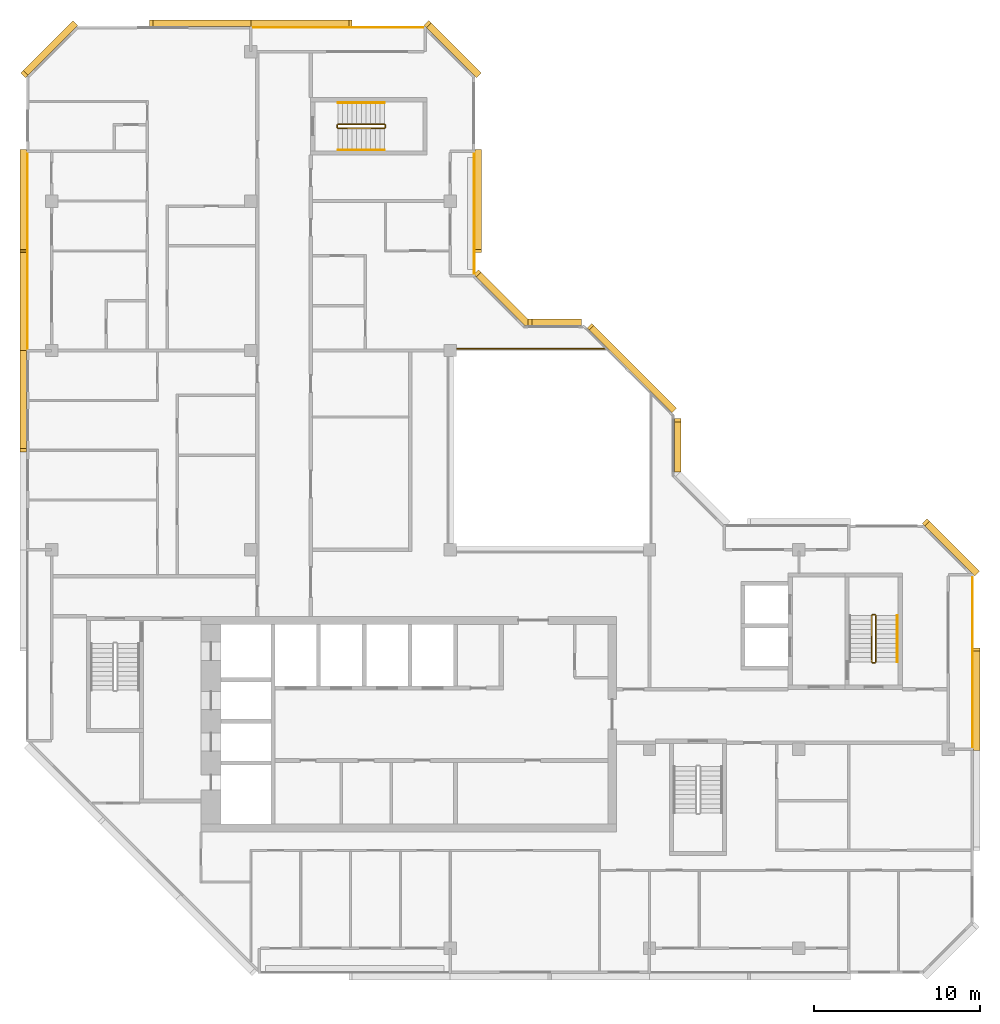
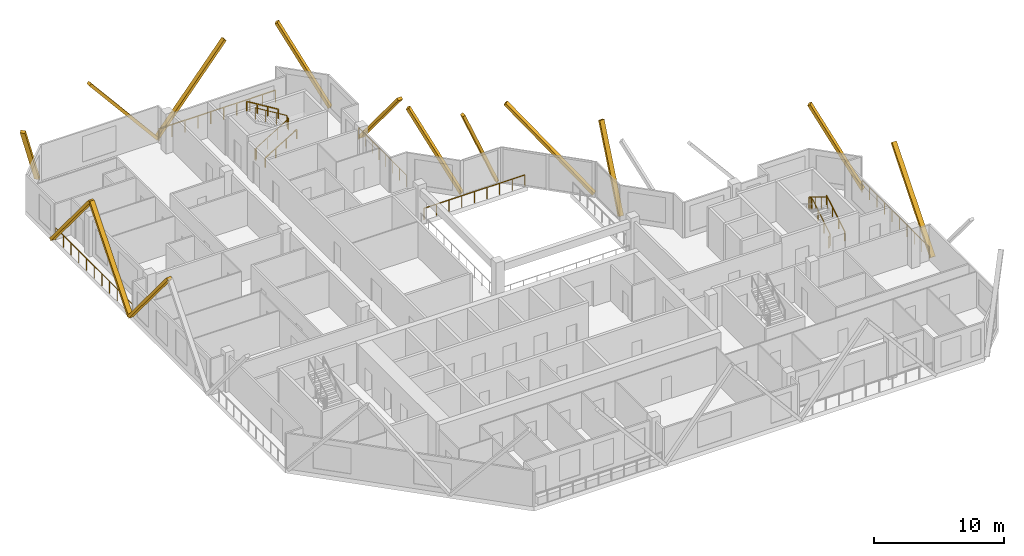
# One storey, part 11 of 11: 14 coverings, 10 railings.
"""IFC4 building model written with IfcOpenShell, lengths in metres."""

from ifc_helpers import new_model, si_unit, direction, frame, origin, origin_2d, place, context, subcontext, project, spatial, rectangle, extrude, material, material_profile, profile_set, type_object, element, save


model = new_model("IFC4")

# Units and contexts
model_context = context("Model", 3, precision=1e-05, world=origin(), true_north=direction((0.0, 1.0)))
body_context = subcontext(model_context, "Body", "Model", "MODEL_VIEW")
ifc_project = project(units=[si_unit("LENGTHUNIT", "METRE"), si_unit("AREAUNIT", "SQUARE_METRE"), si_unit("VOLUMEUNIT", "CUBIC_METRE"), si_unit("PLANEANGLEUNIT", "RADIAN"), si_unit("MASSUNIT", "GRAM", prefix="KILO")], contexts=[model_context])

# Site, building, storey
site_placement = place(None, origin())
site = spatial("IfcSite", under=ifc_project, at=site_placement, CompositionType="ELEMENT")
building_placement = place(site_placement, origin())
building = spatial("IfcBuilding", under=site, at=building_placement, Name="Chenar Terraces", CompositionType="ELEMENT")
storey_placement = place(building_placement, frame((0.0, 0.0, 376.39990234375)))
storey = spatial("IfcBuildingStorey", under=building, at=storey_placement, Name="L88", CompositionType="ELEMENT", Elevation=376.39990234375)

# Railings
ifc_material_1 = material(Name="Powder-coated steel", Category="steel")
railing_type_1 = type_object("IfcRailingType", Name="Guard 1100 steel rail with glass infill", PredefinedType="GUARDRAIL", material=ifc_material_1)
railing_1_placement = place(storey_placement, frame((24.425048828125, 36.10009765625, 0.0)))
element("IfcRailing", 1, at=railing_1_placement, inside=storey, type_object=railing_type_1, Name="Guard L88-2", PredefinedType="GUARDRAIL", context=body_context, shape_type="SweptSolid", body=[
    extrude(rectangle(XDim=0.06005859375, YDim=0.06005859375, at=origin_2d()), frame((0.0, 0.0, 1.070068359375), z_axis=(1.0, 0.0, 0.0), x_axis=(0.0, 1.0, 0.0)), (0.0, 0.0, 1.0), 8.974853515625),
    extrude(rectangle(XDim=0.050048828125, YDim=0.050048828125, at=origin_2d()), origin(), (0.0, 0.0, 1.0), 1.0400390625),
    extrude(rectangle(XDim=0.050048828125, YDim=0.050048828125, at=origin_2d()), frame((1.121826171875, 0.0, 0.0)), (0.0, 0.0, 1.0), 1.0400390625),
    extrude(rectangle(XDim=0.050048828125, YDim=0.050048828125, at=origin_2d()), frame((2.24365234375, 0.0, 0.0)), (0.0, 0.0, 1.0), 1.0400390625),
    extrude(rectangle(XDim=0.050048828125, YDim=0.050048828125, at=origin_2d()), frame((3.365478515625, 0.0, 0.0)), (0.0, 0.0, 1.0), 1.0400390625),
    extrude(rectangle(XDim=0.050048828125, YDim=0.050048828125, at=origin_2d()), frame((4.4873046875, 0.0, 0.0)), (0.0, 0.0, 1.0), 1.0400390625),
    extrude(rectangle(XDim=0.050048828125, YDim=0.050048828125, at=origin_2d()), frame((5.609375, 0.0, 0.0)), (0.0, 0.0, 1.0), 1.0400390625),
    extrude(rectangle(XDim=0.050048828125, YDim=0.050048828125, at=origin_2d()), frame((6.731201171875, 0.0, 0.0)), (0.0, 0.0, 1.0), 1.0400390625),
    extrude(rectangle(XDim=0.050048828125, YDim=0.050048828125, at=origin_2d()), frame((7.85302734375, 0.0, 0.0)), (0.0, 0.0, 1.0), 1.0400390625),
    extrude(rectangle(XDim=0.050048828125, YDim=0.050048828125, at=origin_2d()), frame((8.974853515625, 0.0, 0.0)), (0.0, 0.0, 1.0), 1.0400390625),
])
ifc_material_2 = material(Name="Stainless steel and glass", Category="steel")
railing_type_2 = type_object("IfcRailingType", Name="Loggia guard 1150", PredefinedType="GUARDRAIL", material=ifc_material_2)
railing_2_placement = place(storey_placement, frame((25.449951171875, 40.574951171875, 0.0)))
element("IfcRailing", 2, at=railing_2_placement, inside=storey, type_object=railing_type_2, Name="Loggia guard", PredefinedType="GUARDRAIL", context=body_context, shape_type="SweptSolid", body=[
    extrude(rectangle(XDim=0.048095703125, YDim=0.048095703125, at=origin_2d()), frame((0.0, 0.0, 1.1259765625), z_axis=(0.0, 1.0, 0.0), x_axis=(-1.0, 0.0, 0.0)), (0.0, 0.0, 1.0), 7.35009765625),
    extrude(rectangle(XDim=0.0419921875, YDim=0.0419921875, at=origin_2d()), origin(), (0.0, 0.0, 1.0), 1.101806640625),
    extrude(rectangle(XDim=0.0419921875, YDim=0.0419921875, at=origin_2d()), frame((0.0, 1.050048828125, 0.0)), (0.0, 0.0, 1.0), 1.101806640625),
    extrude(rectangle(XDim=0.0419921875, YDim=0.0419921875, at=origin_2d()), frame((0.0, 2.10009765625, 0.0)), (0.0, 0.0, 1.0), 1.101806640625),
    extrude(rectangle(XDim=0.0419921875, YDim=0.0419921875, at=origin_2d()), frame((0.0, 3.150146484375, 0.0)), (0.0, 0.0, 1.0), 1.101806640625),
    extrude(rectangle(XDim=0.0419921875, YDim=0.0419921875, at=origin_2d()), frame((0.0, 4.199951171875, 0.0)), (0.0, 0.0, 1.0), 1.101806640625),
    extrude(rectangle(XDim=0.0419921875, YDim=0.0419921875, at=origin_2d()), frame((0.0, 5.25, 0.0)), (0.0, 0.0, 1.0), 1.101806640625),
    extrude(rectangle(XDim=0.0419921875, YDim=0.0419921875, at=origin_2d()), frame((0.0, 6.300048828125, 0.0)), (0.0, 0.0, 1.0), 1.101806640625),
    extrude(rectangle(XDim=0.0419921875, YDim=0.0419921875, at=origin_2d()), frame((0.0, 7.35009765625, 0.0)), (0.0, 0.0, 1.0), 1.101806640625),
])
railing_3_placement = place(storey_placement, frame((55.449951171875, 12.074951171875, 0.0)))
element("IfcRailing", 3, at=railing_3_placement, inside=storey, type_object=railing_type_2, Name="Loggia guard", PredefinedType="GUARDRAIL", context=body_context, shape_type="SweptSolid", body=[
    extrude(rectangle(XDim=0.048095703125, YDim=0.048095703125, at=origin_2d()), frame((0.0, 0.0, 1.1259765625), z_axis=(0.0, 1.0, 0.0), x_axis=(-1.0, 0.0, 0.0)), (0.0, 0.0, 1.0), 10.35009765625),
    extrude(rectangle(XDim=0.0419921875, YDim=0.0419921875, at=origin_2d()), origin(), (0.0, 0.0, 1.0), 1.101806640625),
    extrude(rectangle(XDim=0.0419921875, YDim=0.0419921875, at=origin_2d()), frame((0.0, 1.14990234375, 0.0)), (0.0, 0.0, 1.0), 1.101806640625),
    extrude(rectangle(XDim=0.0419921875, YDim=0.0419921875, at=origin_2d()), frame((0.0, 2.300048828125, 0.0)), (0.0, 0.0, 1.0), 1.101806640625),
    extrude(rectangle(XDim=0.0419921875, YDim=0.0419921875, at=origin_2d()), frame((0.0, 3.449951171875, 0.0)), (0.0, 0.0, 1.0), 1.101806640625),
    extrude(rectangle(XDim=0.0419921875, YDim=0.0419921875, at=origin_2d()), frame((0.0, 4.60009765625, 0.0)), (0.0, 0.0, 1.0), 1.101806640625),
    extrude(rectangle(XDim=0.0419921875, YDim=0.0419921875, at=origin_2d()), frame((0.0, 5.75, 0.0)), (0.0, 0.0, 1.0), 1.101806640625),
    extrude(rectangle(XDim=0.0419921875, YDim=0.0419921875, at=origin_2d()), frame((0.0, 6.900146484375, 0.0)), (0.0, 0.0, 1.0), 1.101806640625),
    extrude(rectangle(XDim=0.0419921875, YDim=0.0419921875, at=origin_2d()), frame((0.0, 8.050048828125, 0.0)), (0.0, 0.0, 1.0), 1.101806640625),
    extrude(rectangle(XDim=0.0419921875, YDim=0.0419921875, at=origin_2d()), frame((0.0, 9.2001953125, 0.0)), (0.0, 0.0, 1.0), 1.101806640625),
    extrude(rectangle(XDim=0.0419921875, YDim=0.0419921875, at=origin_2d()), frame((0.0, 10.35009765625, 0.0)), (0.0, 0.0, 1.0), 1.101806640625),
])
railing_4_placement = place(storey_placement, frame((22.425048828125, 55.449951171875, 0.0)))
element("IfcRailing", 4, at=railing_4_placement, inside=storey, type_object=railing_type_2, Name="Loggia guard", PredefinedType="GUARDRAIL", context=body_context, shape_type="SweptSolid", body=[
    extrude(rectangle(XDim=0.048095703125, YDim=0.048095703125, at=origin_2d()), frame((0.0, 0.0, 1.1259765625), z_axis=(-1.0, 0.0, 0.0), x_axis=(0.0, -1.0, 0.0)), (0.0, 0.0, 1.0), 10.35009765625),
    extrude(rectangle(XDim=0.0419921875, YDim=0.0419921875, at=origin_2d()), origin(), (0.0, 0.0, 1.0), 1.101806640625),
    extrude(rectangle(XDim=0.0419921875, YDim=0.0419921875, at=origin_2d()), frame((-1.14990234375, 0.0, 0.0)), (0.0, 0.0, 1.0), 1.101806640625),
    extrude(rectangle(XDim=0.0419921875, YDim=0.0419921875, at=origin_2d()), frame((-2.300048828125, 0.0, 0.0)), (0.0, 0.0, 1.0), 1.101806640625),
    extrude(rectangle(XDim=0.0419921875, YDim=0.0419921875, at=origin_2d()), frame((-3.449951171875, 0.0, 0.0)), (0.0, 0.0, 1.0), 1.101806640625),
    extrude(rectangle(XDim=0.0419921875, YDim=0.0419921875, at=origin_2d()), frame((-4.60009765625, 0.0, 0.0)), (0.0, 0.0, 1.0), 1.101806640625),
    extrude(rectangle(XDim=0.0419921875, YDim=0.0419921875, at=origin_2d()), frame((-5.75, 0.0, 0.0)), (0.0, 0.0, 1.0), 1.101806640625),
    extrude(rectangle(XDim=0.0419921875, YDim=0.0419921875, at=origin_2d()), frame((-6.900146484375, 0.0, 0.0)), (0.0, 0.0, 1.0), 1.101806640625),
    extrude(rectangle(XDim=0.0419921875, YDim=0.0419921875, at=origin_2d()), frame((-8.050048828125, 0.0, 0.0)), (0.0, 0.0, 1.0), 1.101806640625),
    extrude(rectangle(XDim=0.0419921875, YDim=0.0419921875, at=origin_2d()), frame((-9.2001953125, 0.0, 0.0)), (0.0, 0.0, 1.0), 1.101806640625),
    extrude(rectangle(XDim=0.0419921875, YDim=0.0419921875, at=origin_2d()), frame((-10.35009765625, 0.0, 0.0)), (0.0, 0.0, 1.0), 1.101806640625),
])
railing_5_placement = place(storey_placement, frame((-1.449951171875, 47.925048828125, 0.0)))
element("IfcRailing", 5, at=railing_5_placement, inside=storey, type_object=railing_type_2, Name="Loggia guard", PredefinedType="GUARDRAIL", context=body_context, shape_type="SweptSolid", body=[
    extrude(rectangle(XDim=0.048095703125, YDim=0.048095703125, at=origin_2d()), frame((0.0, 0.0, 1.1259765625), z_axis=(0.0, -1.0, 0.0), x_axis=(1.0, 0.0, 0.0)), (0.0, 0.0, 1.0), 11.85009765625),
    extrude(rectangle(XDim=0.0419921875, YDim=0.0419921875, at=origin_2d()), origin(), (0.0, 0.0, 1.0), 1.101806640625),
    extrude(rectangle(XDim=0.0419921875, YDim=0.0419921875, at=origin_2d()), frame((0.0, -1.18505859375, 0.0)), (0.0, 0.0, 1.0), 1.101806640625),
    extrude(rectangle(XDim=0.0419921875, YDim=0.0419921875, at=origin_2d()), frame((0.0, -2.3701171875, 0.0)), (0.0, 0.0, 1.0), 1.101806640625),
    extrude(rectangle(XDim=0.0419921875, YDim=0.0419921875, at=origin_2d()), frame((0.0, -3.554931640625, 0.0)), (0.0, 0.0, 1.0), 1.101806640625),
    extrude(rectangle(XDim=0.0419921875, YDim=0.0419921875, at=origin_2d()), frame((0.0, -4.739990234375, 0.0)), (0.0, 0.0, 1.0), 1.101806640625),
    extrude(rectangle(XDim=0.0419921875, YDim=0.0419921875, at=origin_2d()), frame((0.0, -5.925048828125, 0.0)), (0.0, 0.0, 1.0), 1.101806640625),
    extrude(rectangle(XDim=0.0419921875, YDim=0.0419921875, at=origin_2d()), frame((0.0, -7.110107421875, 0.0)), (0.0, 0.0, 1.0), 1.101806640625),
    extrude(rectangle(XDim=0.0419921875, YDim=0.0419921875, at=origin_2d()), frame((0.0, -8.295166015625, 0.0)), (0.0, 0.0, 1.0), 1.101806640625),
    extrude(rectangle(XDim=0.0419921875, YDim=0.0419921875, at=origin_2d()), frame((0.0, -9.47998046875, 0.0)), (0.0, 0.0, 1.0), 1.101806640625),
    extrude(rectangle(XDim=0.0419921875, YDim=0.0419921875, at=origin_2d()), frame((0.0, -10.6650390625, 0.0)), (0.0, 0.0, 1.0), 1.101806640625),
    extrude(rectangle(XDim=0.0419921875, YDim=0.0419921875, at=origin_2d()), frame((0.0, -11.85009765625, 0.0)), (0.0, 0.0, 1.0), 1.101806640625),
])
ifc_material_3 = material(Name="Powder-coated steel", Category="steel")
railing_type_3 = type_object("IfcRailingType", Name="Stair guard 1100", PredefinedType="GUARDRAIL", material=ifc_material_3)
railing_6_placement = place(storey_placement, frame((49.375, 17.25, 3.75)))
element("IfcRailing", 6, at=railing_6_placement, inside=storey, type_object=railing_type_3, Name="L88 ST3 stair guard 1", PredefinedType="GUARDRAIL", context=body_context, shape_type="SweptSolid", body=[
    extrude(rectangle(XDim=0.048095703125, YDim=0.048095703125, at=origin_2d()), frame((0.0, 0.0, 1.076171875), z_axis=(0.0, 0.854202870247, -0.519939858505), x_axis=(-1.0, 0.0, 0.0)), (0.0, 0.0, 1.0), 3.278076171875),
    extrude(rectangle(XDim=0.048095703125, YDim=0.048095703125, at=origin_2d()), frame((0.0, 2.800048828125, -0.62841796875), z_axis=(0.270899902878, 0.270899902878, -0.923702595667), x_axis=(-0.707106781187, 0.707106781187, 0.0)), (0.0, 0.0, 1.0), 0.184814453125),
    extrude(rectangle(XDim=0.048095703125, YDim=0.048095703125, at=origin_2d()), frame((0.050048828125, 2.85009765625, -0.798828125), z_axis=(1.0, 0.0, 0.0), x_axis=(0.0, 1.0, 0.0)), (0.0, 0.0, 1.0), 0.14990234375),
    extrude(rectangle(XDim=0.048095703125, YDim=0.048095703125, at=origin_2d()), frame((0.199951171875, 2.85009765625, -0.798828125), z_axis=(0.707106781187, -0.707106781187, 0.0), x_axis=(0.707106781187, 0.707106781187, 0.0)), (0.0, 0.0, 1.0), 0.07080078125),
    extrude(rectangle(XDim=0.048095703125, YDim=0.048095703125, at=origin_2d()), frame((0.25, 2.800048828125, -0.798828125), z_axis=(0.0, -0.854202870247, -0.519939858505), x_axis=(1.0, 0.0, 0.0)), (0.0, 0.0, 1.0), 3.278076171875),
    extrude(rectangle(XDim=0.048095703125, YDim=0.048095703125, at=origin_2d()), frame((0.25, 0.0, -2.50341796875), z_axis=(-0.270899902878, -0.270899902878, -0.923702595667), x_axis=(0.707106781187, -0.707106781187, 0.0)), (0.0, 0.0, 1.0), 0.184814453125),
    extrude(rectangle(XDim=0.048095703125, YDim=0.048095703125, at=origin_2d()), frame((0.199951171875, -0.050048828125, -2.673828125), z_axis=(-1.0, 0.0, 0.0), x_axis=(0.0, -1.0, 0.0)), (0.0, 0.0, 1.0), 0.14990234375),
    extrude(rectangle(XDim=0.0419921875, YDim=0.0419921875, at=origin_2d()), origin(), (0.0, 0.0, 1.0), 1.052001953125),
    extrude(rectangle(XDim=0.0419921875, YDim=0.0419921875, at=origin_2d()), frame((0.0, 0.933349609375, -0.568115234375)), (0.0, 0.0, 1.0), 1.052001953125),
    extrude(rectangle(XDim=0.0419921875, YDim=0.0419921875, at=origin_2d()), frame((0.0, 1.86669921875, -1.13623046875)), (0.0, 0.0, 1.0), 1.052001953125),
    extrude(rectangle(XDim=0.0419921875, YDim=0.0419921875, at=origin_2d()), frame((0.0, 2.800048828125, -1.704345703125)), (0.0, 0.0, 1.0), 1.052001953125),
    extrude(rectangle(XDim=0.0419921875, YDim=0.0419921875, at=origin_2d()), frame((0.050048828125, 2.85009765625, -1.875)), (0.0, 0.0, 1.0), 1.052001953125),
    extrude(rectangle(XDim=0.0419921875, YDim=0.0419921875, at=origin_2d()), frame((0.199951171875, 2.85009765625, -1.875)), (0.0, 0.0, 1.0), 1.052001953125),
    extrude(rectangle(XDim=0.0419921875, YDim=0.0419921875, at=origin_2d()), frame((0.25, 2.800048828125, -1.875)), (0.0, 0.0, 1.0), 1.052001953125),
    extrude(rectangle(XDim=0.0419921875, YDim=0.0419921875, at=origin_2d()), frame((0.25, 1.86669921875, -2.443115234375)), (0.0, 0.0, 1.0), 1.052001953125),
    extrude(rectangle(XDim=0.0419921875, YDim=0.0419921875, at=origin_2d()), frame((0.25, 0.933349609375, -3.01123046875)), (0.0, 0.0, 1.0), 1.052001953125),
    extrude(rectangle(XDim=0.0419921875, YDim=0.0419921875, at=origin_2d()), frame((0.25, 0.0, -3.579345703125)), (0.0, 0.0, 1.0), 1.052001953125),
    extrude(rectangle(XDim=0.0419921875, YDim=0.0419921875, at=origin_2d()), frame((0.199951171875, -0.050048828125, -3.75)), (0.0, 0.0, 1.0), 1.052001953125),
    extrude(rectangle(XDim=0.0419921875, YDim=0.0419921875, at=origin_2d()), frame((0.050048828125, -0.050048828125, -3.75)), (0.0, 0.0, 1.0), 1.052001953125),
])
railing_7_placement = place(storey_placement, frame((17.25, 49.625, 3.75)))
element("IfcRailing", 7, at=railing_7_placement, inside=storey, type_object=railing_type_3, Name="L88 ST4 stair guard 1", PredefinedType="GUARDRAIL", context=body_context, shape_type="SweptSolid", body=[
    extrude(rectangle(XDim=0.048095703125, YDim=0.048095703125, at=origin_2d()), frame((0.0, 0.0, 1.076171875), z_axis=(0.854202870247, 0.0, -0.519939858505), x_axis=(0.0, 1.0, 0.0)), (0.0, 0.0, 1.0), 3.278076171875),
    extrude(rectangle(XDim=0.048095703125, YDim=0.048095703125, at=origin_2d()), frame((2.800048828125, 0.0, -0.62841796875), z_axis=(0.270899902878, -0.270899902878, -0.923702595667), x_axis=(0.707106781187, 0.707106781187, 0.0)), (0.0, 0.0, 1.0), 0.184814453125),
    extrude(rectangle(XDim=0.048095703125, YDim=0.048095703125, at=origin_2d()), frame((2.85009765625, -0.050048828125, -0.798828125), z_axis=(0.0, -1.0, 0.0), x_axis=(1.0, 0.0, 0.0)), (0.0, 0.0, 1.0), 0.14990234375),
    extrude(rectangle(XDim=0.048095703125, YDim=0.048095703125, at=origin_2d()), frame((2.85009765625, -0.199951171875, -0.798828125), z_axis=(-0.707106781187, -0.707106781187, 0.0), x_axis=(0.707106781187, -0.707106781187, 0.0)), (0.0, 0.0, 1.0), 0.07080078125),
    extrude(rectangle(XDim=0.048095703125, YDim=0.048095703125, at=origin_2d()), frame((2.800048828125, -0.25, -0.798828125), z_axis=(-0.854202870247, 0.0, -0.519939858505), x_axis=(0.0, -1.0, 0.0)), (0.0, 0.0, 1.0), 3.278076171875),
    extrude(rectangle(XDim=0.048095703125, YDim=0.048095703125, at=origin_2d()), frame((0.0, -0.25, -2.50341796875), z_axis=(-0.270899902878, 0.270899902878, -0.923702595667), x_axis=(-0.707106781187, -0.707106781187, 0.0)), (0.0, 0.0, 1.0), 0.184814453125),
    extrude(rectangle(XDim=0.048095703125, YDim=0.048095703125, at=origin_2d()), frame((-0.050048828125, -0.199951171875, -2.673828125), z_axis=(0.0, 1.0, 0.0), x_axis=(-1.0, 0.0, 0.0)), (0.0, 0.0, 1.0), 0.14990234375),
    extrude(rectangle(XDim=0.0419921875, YDim=0.0419921875, at=origin_2d()), origin(), (0.0, 0.0, 1.0), 1.052001953125),
    extrude(rectangle(XDim=0.0419921875, YDim=0.0419921875, at=origin_2d()), frame((0.933349609375, 0.0, -0.568115234375)), (0.0, 0.0, 1.0), 1.052001953125),
    extrude(rectangle(XDim=0.0419921875, YDim=0.0419921875, at=origin_2d()), frame((1.86669921875, 0.0, -1.13623046875)), (0.0, 0.0, 1.0), 1.052001953125),
    extrude(rectangle(XDim=0.0419921875, YDim=0.0419921875, at=origin_2d()), frame((2.800048828125, 0.0, -1.704345703125)), (0.0, 0.0, 1.0), 1.052001953125),
    extrude(rectangle(XDim=0.0419921875, YDim=0.0419921875, at=origin_2d()), frame((2.85009765625, -0.050048828125, -1.875)), (0.0, 0.0, 1.0), 1.052001953125),
    extrude(rectangle(XDim=0.0419921875, YDim=0.0419921875, at=origin_2d()), frame((2.85009765625, -0.199951171875, -1.875)), (0.0, 0.0, 1.0), 1.052001953125),
    extrude(rectangle(XDim=0.0419921875, YDim=0.0419921875, at=origin_2d()), frame((2.800048828125, -0.25, -1.875)), (0.0, 0.0, 1.0), 1.052001953125),
    extrude(rectangle(XDim=0.0419921875, YDim=0.0419921875, at=origin_2d()), frame((1.86669921875, -0.25, -2.443115234375)), (0.0, 0.0, 1.0), 1.052001953125),
    extrude(rectangle(XDim=0.0419921875, YDim=0.0419921875, at=origin_2d()), frame((0.933349609375, -0.25, -3.01123046875)), (0.0, 0.0, 1.0), 1.052001953125),
    extrude(rectangle(XDim=0.0419921875, YDim=0.0419921875, at=origin_2d()), frame((0.0, -0.25, -3.579345703125)), (0.0, 0.0, 1.0), 1.052001953125),
    extrude(rectangle(XDim=0.0419921875, YDim=0.0419921875, at=origin_2d()), frame((-0.050048828125, -0.199951171875, -3.75)), (0.0, 0.0, 1.0), 1.052001953125),
    extrude(rectangle(XDim=0.0419921875, YDim=0.0419921875, at=origin_2d()), frame((-0.050048828125, -0.050048828125, -3.75)), (0.0, 0.0, 1.0), 1.052001953125),
])
ifc_material_4 = material(Name="Powder-coated steel", Category="steel")
railing_type_4 = type_object("IfcRailingType", Name="Stair handrail 900", PredefinedType="HANDRAIL", material=ifc_material_4)
railing_8_placement = place(storey_placement, frame((50.925048828125, 17.25, 0.170654296875)))
element("IfcRailing", 8, at=railing_8_placement, inside=storey, type_object=railing_type_4, Name="L88 ST3 stair handrail 1", PredefinedType="HANDRAIL", context=body_context, shape_type="SweptSolid", body=[
    extrude(rectangle(XDim=0.048095703125, YDim=0.048095703125, at=origin_2d()), frame((0.0, 0.0, 0.8759765625), z_axis=(0.0, 0.854202870247, 0.519939858505), x_axis=(-1.0, 0.0, 0.0)), (0.0, 0.0, 1.0), 3.278076171875),
    extrude(rectangle(XDim=0.0419921875, YDim=0.0419921875, at=origin_2d()), origin(), (0.0, 0.0, 1.0), 0.851806640625),
    extrude(rectangle(XDim=0.0419921875, YDim=0.0419921875, at=origin_2d()), frame((0.0, 0.933349609375, 0.568115234375)), (0.0, 0.0, 1.0), 0.851806640625),
    extrude(rectangle(XDim=0.0419921875, YDim=0.0419921875, at=origin_2d()), frame((0.0, 1.86669921875, 1.13623046875)), (0.0, 0.0, 1.0), 0.851806640625),
    extrude(rectangle(XDim=0.0419921875, YDim=0.0419921875, at=origin_2d()), frame((0.0, 2.800048828125, 1.704345703125)), (0.0, 0.0, 1.0), 0.851806640625),
])
railing_9_placement = place(storey_placement, frame((17.25, 48.074951171875, 0.170654296875)))
element("IfcRailing", 9, at=railing_9_placement, inside=storey, type_object=railing_type_4, Name="L88 ST4 stair handrail 1", PredefinedType="HANDRAIL", context=body_context, shape_type="SweptSolid", body=[
    extrude(rectangle(XDim=0.048095703125, YDim=0.048095703125, at=origin_2d()), frame((0.0, 0.0, 0.8759765625), z_axis=(0.854202870247, 0.0, 0.519939858505), x_axis=(0.0, 1.0, 0.0)), (0.0, 0.0, 1.0), 3.278076171875),
    extrude(rectangle(XDim=0.0419921875, YDim=0.0419921875, at=origin_2d()), origin(), (0.0, 0.0, 1.0), 0.851806640625),
    extrude(rectangle(XDim=0.0419921875, YDim=0.0419921875, at=origin_2d()), frame((0.933349609375, 0.0, 0.568115234375)), (0.0, 0.0, 1.0), 0.851806640625),
    extrude(rectangle(XDim=0.0419921875, YDim=0.0419921875, at=origin_2d()), frame((1.86669921875, 0.0, 1.13623046875)), (0.0, 0.0, 1.0), 0.851806640625),
    extrude(rectangle(XDim=0.0419921875, YDim=0.0419921875, at=origin_2d()), frame((2.800048828125, 0.0, 1.704345703125)), (0.0, 0.0, 1.0), 0.851806640625),
])
railing_10_placement = place(storey_placement, frame((20.050048828125, 50.925048828125, 2.045654296875)))
element("IfcRailing", 10, at=railing_10_placement, inside=storey, type_object=railing_type_4, Name="L88 ST4 stair handrail 2", PredefinedType="HANDRAIL", context=body_context, shape_type="SweptSolid", body=[
    extrude(rectangle(XDim=0.048095703125, YDim=0.048095703125, at=origin_2d()), frame((0.0, 0.0, 0.8759765625), z_axis=(-0.854202870247, 0.0, 0.519939858505), x_axis=(0.0, -1.0, 0.0)), (0.0, 0.0, 1.0), 3.278076171875),
    extrude(rectangle(XDim=0.0419921875, YDim=0.0419921875, at=origin_2d()), origin(), (0.0, 0.0, 1.0), 0.851806640625),
    extrude(rectangle(XDim=0.0419921875, YDim=0.0419921875, at=origin_2d()), frame((-0.933349609375, 0.0, 0.568115234375)), (0.0, 0.0, 1.0), 0.851806640625),
    extrude(rectangle(XDim=0.0419921875, YDim=0.0419921875, at=origin_2d()), frame((-1.86669921875, 0.0, 1.13623046875)), (0.0, 0.0, 1.0), 0.851806640625),
    extrude(rectangle(XDim=0.0419921875, YDim=0.0419921875, at=origin_2d()), frame((-2.800048828125, 0.0, 1.704345703125)), (0.0, 0.0, 1.0), 0.851806640625),
])

# Coverings
ifc_material_5 = material(Name="Terracotta", Category="masonry")
ifc_material_profile = material_profile(ifc_material_5, rectangle(XDim=0.39990234375, YDim=0.25, at=origin_2d()), Name="Terracotta baguette 400 x 250")
ifc_profile_set = profile_set([ifc_material_profile], Name="Terracotta")
covering_type = type_object("IfcCoveringType", Name="Terracotta baguette 400 x 250", PredefinedType="CLADDING", material=ifc_profile_set)
covering_1_placement = place(storey_placement, frame((37.699951171875, 28.800048828125, 0.150146484375), z_axis=(0.0, 0.384617607118, 0.923075997031), x_axis=(-1.0, 0.0, 0.0)))
element("IfcCovering", 11, at=covering_1_placement, inside=storey, type_object=covering_type, Name="Terracotta baguette", PredefinedType="CLADDING", context=body_context, shape_type="SweptSolid", body=[
    extrude(rectangle(XDim=0.39990234375, YDim=0.25, at=origin_2d()), origin(), (0.0, 0.0, 1.0), 7.800048828125),
])
covering_2_placement = place(storey_placement, frame((37.42919921875, 32.45361328125, 0.150146484375), z_axis=(-0.494222393737, 0.4942466441, 0.715167449151), x_axis=(-0.707124128605, -0.707089433343, 0.0)))
element("IfcCovering", 12, at=covering_2_placement, inside=storey, type_object=covering_type, Name="Terracotta baguette", PredefinedType="CLADDING", context=body_context, shape_type="SweptSolid", body=[
    extrude(rectangle(XDim=0.39990234375, YDim=0.25, at=origin_2d()), origin(), (0.0, 0.0, 1.0), 10.0673828125),
])
covering_3_placement = place(storey_placement, frame((31.800048828125, 37.699951171875, 0.150146484375), z_axis=(-0.384617607118, 0.0, 0.923075997031), x_axis=(0.0, -1.0, 0.0)))
element("IfcCovering", 13, at=covering_3_placement, inside=storey, type_object=covering_type, Name="Terracotta baguette", PredefinedType="CLADDING", context=body_context, shape_type="SweptSolid", body=[
    extrude(rectangle(XDim=0.39990234375, YDim=0.25, at=origin_2d()), origin(), (0.0, 0.0, 1.0), 7.800048828125),
])
covering_4_placement = place(storey_placement, frame((28.641357421875, 37.641357421875, 0.150146484375), z_axis=(-0.358980886355, 0.358980886355, 0.861548284464), x_axis=(-0.707106781187, -0.707106781187, 0.0)))
element("IfcCovering", 14, at=covering_4_placement, inside=storey, type_object=covering_type, Name="Terracotta baguette", PredefinedType="CLADDING", context=body_context, shape_type="SweptSolid", body=[
    extrude(rectangle(XDim=0.39990234375, YDim=0.25, at=origin_2d()), origin(), (0.0, 0.0, 1.0), 8.35693359375),
])
covering_5_placement = place(storey_placement, frame((25.699951171875, 42.0, 7.35009765625), z_axis=(0.0, 0.640186961885, -0.768219144407), x_axis=(-1.0, 0.0, 0.0)))
element("IfcCovering", 15, at=covering_5_placement, inside=storey, type_object=covering_type, Name="Terracotta baguette", PredefinedType="CLADDING", context=body_context, shape_type="SweptSolid", body=[
    extrude(rectangle(XDim=0.39990234375, YDim=0.25, at=origin_2d()), origin(), (0.0, 0.0, 1.0), 9.372314453125),
])
covering_6_placement = place(storey_placement, frame((25.641357421875, 52.641357421875, 0.150146484375), z_axis=(-0.358980886355, 0.358980886355, 0.861548284464), x_axis=(-0.707106781187, -0.707106781187, 0.0)))
element("IfcCovering", 16, at=covering_6_placement, inside=storey, type_object=covering_type, Name="Terracotta baguette", PredefinedType="CLADDING", context=body_context, shape_type="SweptSolid", body=[
    extrude(rectangle(XDim=0.39990234375, YDim=0.25, at=origin_2d()), origin(), (0.0, 0.0, 1.0), 8.35693359375),
])
for number, where, z_axis, x_axis, name in (
    (17, (18.0, 55.699951171875, 7.35009765625), (-0.640186961885, 0.0, -0.768219144407), (0.0, -1.0, 0.0), "Terracotta baguette"),
    (18, (12.0, 55.699951171875, 0.150146484375), (-0.640186961885, 0.0, 0.768219144407), (0.0, -1.0, 0.0), "Terracotta baguette"),
):
    element("IfcCovering", number, at=place(storey_placement, frame(where, z_axis=z_axis, x_axis=x_axis)), inside=storey, type_object=covering_type, Name=name, PredefinedType="CLADDING", context=body_context, shape_type="SweptSolid", body=[
        extrude(rectangle(XDim=0.39990234375, YDim=0.25, at=origin_2d()), origin(), (0.0, 0.0, 1.0), 9.372314453125),
    ])
covering_7_placement = place(storey_placement, frame((1.358642578125, 55.641357421875, 0.150146484375), z_axis=(-0.358980886355, -0.358980886355, 0.861548284464), x_axis=(0.707106781187, -0.707106781187, 0.0)))
element("IfcCovering", 19, at=covering_7_placement, inside=storey, type_object=covering_type, Name="Terracotta baguette", PredefinedType="CLADDING", context=body_context, shape_type="SweptSolid", body=[
    extrude(rectangle(XDim=0.39990234375, YDim=0.25, at=origin_2d()), origin(), (0.0, 0.0, 1.0), 8.35693359375),
])
for number, where, z_axis, x_axis, name in (
    (20, (-1.699951171875, 48.0, 0.150146484375), (0.0, -0.640186961885, 0.768219144407), (1.0, 0.0, 0.0), "Terracotta baguette"),
    (21, (-1.699951171875, 42.0, 7.35009765625), (0.0, -0.640186961885, -0.768219144407), (1.0, 0.0, 0.0), "Terracotta baguette"),
    (22, (-1.699951171875, 36.0, 0.150146484375), (0.0, -0.640186961885, 0.768219144407), (1.0, 0.0, 0.0), "Terracotta baguette"),
    (23, (55.699951171875, 12.0, 0.150146484375), (0.0, 0.640186961885, 0.768219144407), (-1.0, 0.0, 0.0), "Terracotta baguette"),
):
    element("IfcCovering", number, at=place(storey_placement, frame(where, z_axis=z_axis, x_axis=x_axis)), inside=storey, type_object=covering_type, Name=name, PredefinedType="CLADDING", context=body_context, shape_type="SweptSolid", body=[
        extrude(rectangle(XDim=0.39990234375, YDim=0.25, at=origin_2d()), origin(), (0.0, 0.0, 1.0), 9.372314453125),
    ])
covering_8_placement = place(storey_placement, frame((55.641357421875, 22.641357421875, 0.150146484375), z_axis=(-0.358980886355, 0.358980886355, 0.861548284464), x_axis=(-0.707106781187, -0.707106781187, 0.0)))
element("IfcCovering", 24, at=covering_8_placement, inside=storey, type_object=covering_type, Name="Terracotta baguette", PredefinedType="CLADDING", context=body_context, shape_type="SweptSolid", body=[
    extrude(rectangle(XDim=0.39990234375, YDim=0.25, at=origin_2d()), origin(), (0.0, 0.0, 1.0), 8.35693359375),
])

save(model, "model.ifc")
